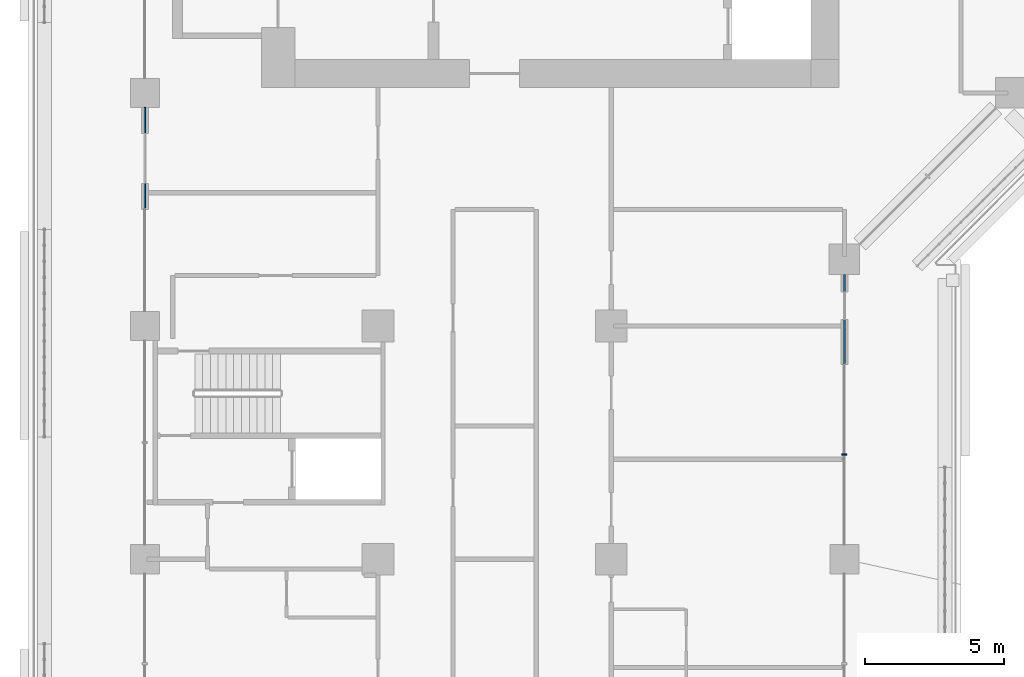
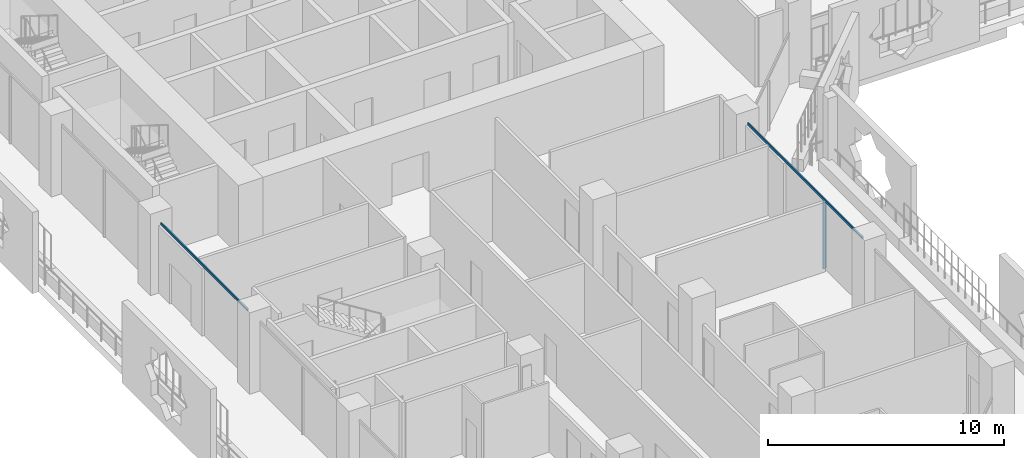
# One storey, part 3 of 25: 3 members, 2 elements without a shape of their own.
"""IFC4 building model written with IfcOpenShell, lengths in metres."""

from ifc_helpers import new_model, si_unit, direction, frame, origin, origin_2d, place, context, subcontext, project, spatial, rectangle, extrude, material, layer, layer_set, material_profile, profile_set, type_object, element, aggregate, save


model = new_model("IFC4")

# Units and contexts
model_context = context("Model", 3, precision=1e-05, world=origin(), true_north=direction((0.0, 1.0)))
body_context = subcontext(model_context, "Body", "Model", "MODEL_VIEW")
ifc_project = project(units=[si_unit("LENGTHUNIT", "METRE"), si_unit("AREAUNIT", "SQUARE_METRE"), si_unit("VOLUMEUNIT", "CUBIC_METRE"), si_unit("PLANEANGLEUNIT", "RADIAN"), si_unit("MASSUNIT", "GRAM", prefix="KILO")], contexts=[model_context])

# Site, building, storey
site_placement = place(None, origin())
site = spatial("IfcSite", under=ifc_project, at=site_placement, CompositionType="ELEMENT")
building_placement = place(site_placement, origin())
building = spatial("IfcBuilding", under=site, at=building_placement, Name="Kawkab Arch Medical Tower", CompositionType="ELEMENT")
storey_placement = place(building_placement, frame((0.0, 0.0, 124.0)))
storey = spatial("IfcBuildingStorey", under=building, at=storey_placement, Name="L28", CompositionType="ELEMENT", Elevation=124.0)

# Curtain wall, member
ifc_material_1 = material(Name="Bronze anodised aluminium curtain wall frame", Category="aluminium")
ifc_layer = layer(ifc_material_1, 0.159912109375)
ifc_layer_set = layer_set([ifc_layer], Name="Bronze anodised aluminium curtain wall frame")
curtain_wall_type = type_object("IfcCurtainWallType", Name="CW1 ward curtain wall", PredefinedType="NOTDEFINED", material=ifc_layer_set)
placement = place(storey_placement, origin())
curtain_wall_1 = element("IfcCurtainWall", 1, at=placement, inside=storey, type_object=curtain_wall_type, Name="CW1 Ward curtain wall R05", PredefinedType="NOTDEFINED")
ifc_material_2 = material(Name="Bronze anodised aluminium curtain wall frame", Category="aluminium")
ifc_material_profile_1 = material_profile(ifc_material_2, rectangle(XDim=0.179931640625, YDim=0.06005859375, at=origin_2d()), Name="AL 60x180")
ifc_profile_set_1 = profile_set([ifc_material_profile_1], Name="Bronze anodised aluminium curtain wall frame")
member_type_1 = type_object("IfcMemberType", Name="CW1 mullion 60 x 180", PredefinedType="MULLION", material=ifc_profile_set_1)
member_1_placement = place(storey_placement, frame((25.199951171875, -38.2333984375, 0.0), z_axis=(0.0, 0.0, 1.0), x_axis=(-1.0, 0.0, 0.0)))
member_1 = element("IfcMember", 2, at=member_1_placement, type_object=member_type_1, Name="CW1 mullion 2.1", PredefinedType="MULLION", context=body_context, shape_type="SweptSolid", body=[
    extrude(rectangle(XDim=0.179931640625, YDim=0.06005859375, at=origin_2d()), origin(), (0.0, 0.0, 1.0), 3.47998046875),
])

curtain_wall_2 = element("IfcCurtainWall", 3, at=placement, inside=storey, type_object=curtain_wall_type, Name="CW1 Ward curtain wall R01", PredefinedType="NOTDEFINED")
ifc_material_3 = material(Name="Bronze anodised aluminium curtain wall frame", Category="aluminium")
ifc_material_profile_2 = material_profile(ifc_material_3, rectangle(XDim=0.06005859375, YDim=0.1201171875, at=origin_2d()), Name="AL 60x120")
ifc_profile_set_2 = profile_set([ifc_material_profile_2], Name="Bronze anodised aluminium curtain wall frame")
member_type_2 = type_object("IfcMemberType", Name="CW1 transom 120 x 60", PredefinedType="USERDEFINED", material=ifc_profile_set_2)
member_2_placement = place(storey_placement, frame((0.0, -25.72509765625, 3.5400390625), z_axis=(0.0, -1.0, 0.0), x_axis=(1.0, 0.0, 0.0)))
member_2 = element("IfcMember", 4, at=member_2_placement, type_object=member_type_2, Name="CW1 transom 4", ObjectType="TRANSOM", PredefinedType="USERDEFINED", context=body_context, shape_type="SweptSolid", body=[
    extrude(rectangle(XDim=0.06005859375, YDim=0.1201171875, at=origin_2d()), origin(), (0.0, 0.0, 1.0), 7.349853515625),
])
aggregate(curtain_wall_2, [member_2])

# Member
member_3_placement = place(storey_placement, frame((25.199951171875, -41.47509765625, 3.5400390625), z_axis=(0.0, 1.0, 0.0), x_axis=(-1.0, 0.0, 0.0)))
member_3 = element("IfcMember", 5, at=member_3_placement, type_object=member_type_2, Name="CW1 transom 2", ObjectType="TRANSOM", PredefinedType="USERDEFINED", context=body_context, shape_type="SweptSolid", body=[
    extrude(rectangle(XDim=0.06005859375, YDim=0.1201171875, at=origin_2d()), origin(), (0.0, 0.0, 1.0), 9.72509765625),
])

aggregate(curtain_wall_1, [member_3, member_1])

save(model, "model.ifc")
